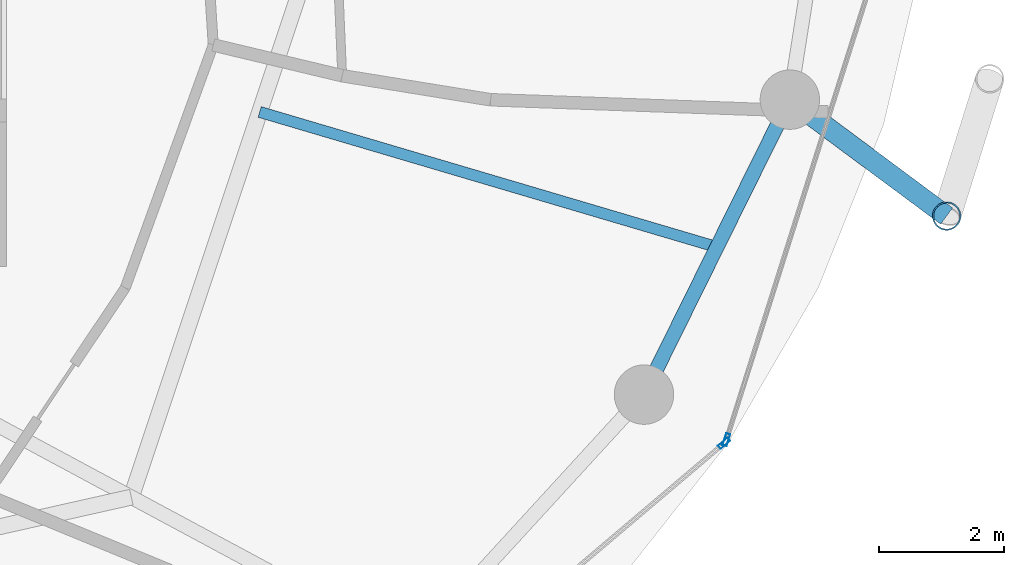
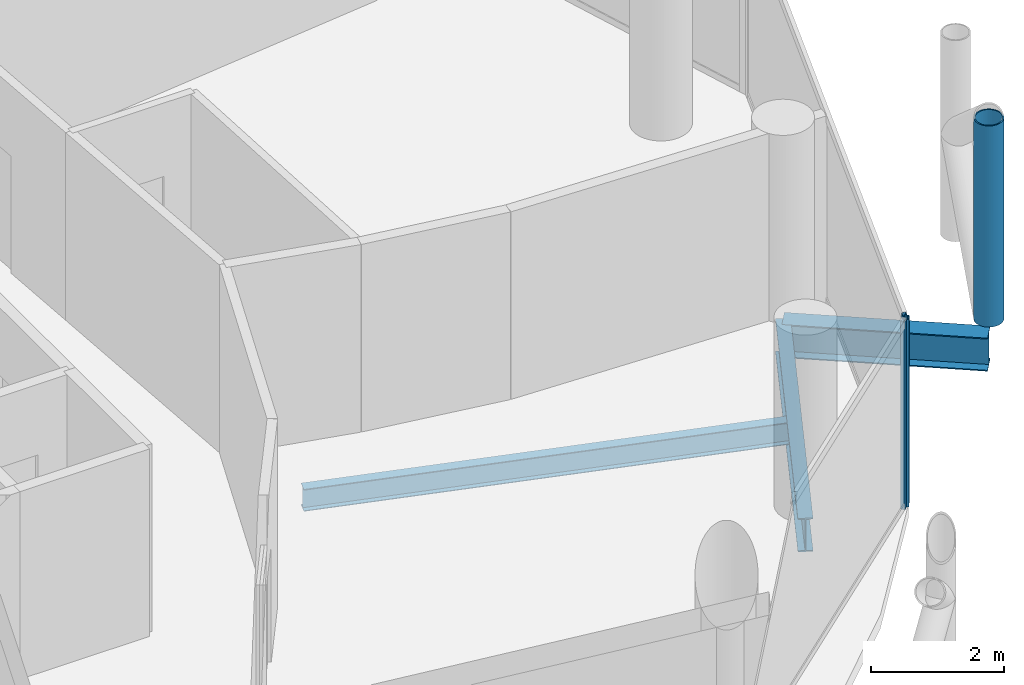
# One storey, part 10 of 26: 3 beams, 3 members, 2 elements without a shape of their own.
"""IFC4 building model written with IfcOpenShell, lengths in metres."""

import ifcopenshell
import ifcopenshell.guid

model = None  # the IFC model being written
_history = None  # IfcOwnerHistory: only IFC2X3 demands one
_inside = {}  # id of a spatial element -> (the spatial element, [elements in it])
_under = {}  # id of a project, library or spatial element -> (it, [spatial elements below it])
_declared = {}  # id of a project -> (the project, [libraries it declares])
_typed = {}  # id of a type object -> (the type object, [elements of that type])
_made_of = {}  # id of a material, layer set ... -> (it, [elements and type objects made of it])


def new_model(schema):
    """Start an empty IFC model of exactly this schema.

    Asked for "IFC4X3", IfcOpenShell would pick the latest addendum, in which some entities
    have other attributes; the version numbers below select the first issue.
    IFC2X3 requires an IfcOwnerHistory on every rooted entity: one is made here for all.
    """
    global model, _history
    if schema == "IFC4X3":
        model = ifcopenshell.file(schema_version=(4, 3, 0, 0))
    else:
        model = ifcopenshell.file(schema=schema)
    _inside.clear()
    _under.clear()
    _declared.clear()
    _typed.clear()
    _made_of.clear()
    _history = None
    if model.schema == "IFC2X3":
        org = make("IfcOrganization", Name="unknown")
        user = make(
            "IfcPersonAndOrganization",
            ThePerson=make("IfcPerson", FamilyName="unknown"),
            TheOrganization=org,
        )
        app = make(
            "IfcApplication",
            ApplicationDeveloper=org,
            Version="unknown",
            ApplicationFullName="unknown",
            ApplicationIdentifier="unknown",
        )
        _history = make(
            "IfcOwnerHistory",
            OwningUser=user,
            OwningApplication=app,
            ChangeAction="ADDED",
            CreationDate=0,
        )
    return model


def make(cls, **values):
    """One entity of the class cls with the attributes given. An attribute that is None is left unset."""
    return model.create_entity(
        cls, **{name: value for name, value in values.items() if value is not None}
    )


def rooted(cls, **values):
    """An entity with a GlobalId (a new one), such as an element, a storey or a relation."""
    return make(cls, GlobalId=ifcopenshell.guid.new(), OwnerHistory=_history, **values)


def si_unit(unit_type, name, prefix=None):
    """IfcSIUnit, for example si_unit("LENGTHUNIT", "METRE", prefix="MILLI")."""
    return make("IfcSIUnit", UnitType=unit_type, Prefix=prefix, Name=name)


def assignment(units):
    """IfcUnitAssignment: the units of a project."""
    return None if units is None else make("IfcUnitAssignment", Units=units)


def point(xyz):
    """IfcCartesianPoint."""
    return None if xyz is None else make("IfcCartesianPoint", Coordinates=xyz)


def direction(xyz):
    """IfcDirection."""
    return None if xyz is None else make("IfcDirection", DirectionRatios=xyz)


def frame(location, z_axis=None, x_axis=None):
    """IfcAxis2Placement3D, a coordinate frame: its origin and axes. An axis left out is left unset."""
    return make(
        "IfcAxis2Placement3D",
        Location=point(location),
        Axis=direction(z_axis),
        RefDirection=direction(x_axis),
    )


def frame_2d(location, x_axis=None):
    """IfcAxis2Placement2D, a coordinate frame in the plane: its origin and x axis."""
    return make(
        "IfcAxis2Placement2D", Location=point(location), RefDirection=direction(x_axis)
    )


def origin():
    """The frame at (0, 0, 0) with its axes left unset."""
    return frame((0.0, 0.0, 0.0))


def origin_2d():
    """The frame at (0, 0) in the plane with its x axis left unset."""
    return frame_2d((0.0, 0.0))


def place(relative_to, where):
    """IfcLocalPlacement: puts the frame where relative to a parent placement (None: the world)."""
    return make(
        "IfcLocalPlacement", PlacementRelTo=relative_to, RelativePlacement=where
    )


def context(
    kind, dimensions, precision=None, world=None, true_north=None, identifier=None
):
    """IfcGeometricRepresentationContext, for example the 3D "Model" context."""
    return make(
        "IfcGeometricRepresentationContext",
        ContextIdentifier=identifier,
        ContextType=kind,
        CoordinateSpaceDimension=dimensions,
        Precision=precision,
        WorldCoordinateSystem=world,
        TrueNorth=true_north,
    )


def subcontext(parent, identifier, kind, view, scale=None):
    """IfcGeometricRepresentationSubContext, for example "Body" below "Model"."""
    return make(
        "IfcGeometricRepresentationSubContext",
        ContextIdentifier=identifier,
        ContextType=kind,
        ParentContext=parent,
        TargetScale=scale,
        TargetView=view,
    )


def project(units=None, contexts=None):
    """IfcProject with its units and contexts."""
    return rooted(
        "IfcProject",
        Name="project",
        RepresentationContexts=contexts,
        UnitsInContext=assignment(units),
    )


def spatial(cls, under=None, at=None, **own):
    """A site, building, storey or space (cls), placed at a placement, below another one or the project."""
    s = rooted(cls, ObjectPlacement=at, **own)
    if under is not None:
        _under.setdefault(under.id(), (under, []))[1].append(s)
    return s


def profile(cls, at=None, kind="AREA", **sizes):
    """A parametric profile (cls). Its sizes go by their IFC names, for example OverallWidth=200.0."""
    return make(cls, ProfileType=kind, Position=at, **sizes)


def hollow_rectangle(**sizes):
    """IfcRectangleHollowProfileDef."""
    return profile("IfcRectangleHollowProfileDef", **sizes)


def hollow_circle(**sizes):
    """IfcCircleHollowProfileDef."""
    return profile("IfcCircleHollowProfileDef", **sizes)


def i_section(**sizes):
    """IfcIShapeProfileDef."""
    return profile("IfcIShapeProfileDef", **sizes)


def extrude(swept, where, along, depth):
    """IfcExtrudedAreaSolid: the profile swept, set in the frame where, extruded along a direction by depth."""
    return make(
        "IfcExtrudedAreaSolid",
        SweptArea=swept,
        Position=where,
        ExtrudedDirection=direction(along),
        Depth=depth,
    )


def shape(context_of_items, identifier, shape_type, items):
    """IfcShapeRepresentation: the items that make up one representation, for example the "Body"."""
    return make(
        "IfcShapeRepresentation",
        ContextOfItems=context_of_items,
        RepresentationIdentifier=identifier,
        RepresentationType=shape_type,
        Items=items,
    )


def material(Name=None, Category=None):
    """IfcMaterial."""
    return make("IfcMaterial", Name=Name, Category=Category)


def layer(
    of_material, thickness, ventilated=None, Name=None, Category=None, Priority=None
):
    """IfcMaterialLayer: one layer of a wall or slab, of a material (None: an air gap)."""
    return make(
        "IfcMaterialLayer",
        Material=of_material,
        LayerThickness=thickness,
        IsVentilated=ventilated,
        Name=Name,
        Category=Category,
        Priority=Priority,
    )


def layer_set(layers, Name=None):
    """IfcMaterialLayerSet."""
    return make("IfcMaterialLayerSet", MaterialLayers=layers, LayerSetName=Name)


def material_profile(
    of_material, cross_section, Name=None, Category=None, Priority=None
):
    """IfcMaterialProfile: a cross section and its material."""
    return make(
        "IfcMaterialProfile",
        Name=Name,
        Material=of_material,
        Profile=cross_section,
        Priority=Priority,
        Category=Category,
    )


def profile_set(profiles, Name=None, composite=None):
    """IfcMaterialProfileSet."""
    return make(
        "IfcMaterialProfileSet",
        Name=Name,
        MaterialProfiles=profiles,
        CompositeProfile=composite,
    )


def made_of(thing, what):
    """Note that an element or type object is made of a material, layer set ...; save() writes the relation."""
    if what is not None:
        _made_of.setdefault(what.id(), (what, []))[1].append(thing)
    return thing


def type_object(cls, material=None, **own):
    """A type object (cls), such as IfcWallType, which elements share."""
    return made_of(rooted(cls, **own), material)


def element(
    cls,
    number,
    at=None,
    inside=None,
    cuts=None,
    type_object=None,
    material=None,
    context=None,
    identifier="Body",
    shape_type=None,
    held_by="IfcProductDefinitionShape",
    body=None,
    shapes=None,
    **own,
):
    """One element of the class cls, such as IfcWall. Its Tag is "e" and its number.

    at: its placement. inside: the storey or other place that contains it. cuts: it is an
    opening in that element (IfcRelVoidsElement). A single representation is given by context,
    identifier, shape_type and body (its items); several are given by shapes. held_by: the class
    of the entity that holds the representations. save() writes the other relations.
    """
    e = rooted(cls, Tag="e%d" % number, ObjectPlacement=at, **own)
    if body is not None:
        shapes = [shape(context, identifier, shape_type, body)]
    if shapes is not None:
        e.Representation = make(held_by, Representations=shapes)
    if inside is not None:
        _inside.setdefault(inside.id(), (inside, []))[1].append(e)
    if cuts is not None:
        rooted(
            "IfcRelVoidsElement", RelatingBuildingElement=cuts, RelatedOpeningElement=e
        )
    if type_object is not None:
        _typed.setdefault(type_object.id(), (type_object, []))[1].append(e)
    return made_of(e, material)


def aggregate(whole, parts):
    """IfcRelAggregates: a whole, such as a stair, and the parts it consists of."""
    return rooted("IfcRelAggregates", RelatingObject=whole, RelatedObjects=parts)


def save(model, path):
    """Write the relations noted so far, then the file.

    IfcRelAggregates (storeys below a building ...), IfcRelContainedInSpatialStructure (elements
    in a storey), IfcRelDefinesByType, IfcRelAssociatesMaterial and IfcRelDeclares: one each for
    every whole, place, type object, material and project.
    """
    for whole, parts in _under.values():
        aggregate(whole, parts)
    for where, things in _inside.values():
        rooted(
            "IfcRelContainedInSpatialStructure",
            RelatedElements=things,
            RelatingStructure=where,
        )
    for kind, things in _typed.values():
        rooted("IfcRelDefinesByType", RelatedObjects=things, RelatingType=kind)
    for what, things in _made_of.values():
        rooted("IfcRelAssociatesMaterial", RelatedObjects=things, RelatingMaterial=what)
    for by, libraries in _declared.values():
        rooted("IfcRelDeclares", RelatingContext=by, RelatedDefinitions=libraries)
    model.write(path)


model = new_model("IFC4")

# Units and contexts
model_context = context("Model", 3, precision=1e-05, world=origin(), true_north=direction((0.0, 1.0)))
body_context = subcontext(model_context, "Body", "Model", "MODEL_VIEW")
ifc_project = project(units=[si_unit("LENGTHUNIT", "METRE"), si_unit("AREAUNIT", "SQUARE_METRE"), si_unit("VOLUMEUNIT", "CUBIC_METRE"), si_unit("PLANEANGLEUNIT", "RADIAN"), si_unit("MASSUNIT", "GRAM", prefix="KILO")], contexts=[model_context])

# Site, building, storey
site_placement = place(None, origin())
site = spatial("IfcSite", under=ifc_project, at=site_placement, CompositionType="ELEMENT")
building_placement = place(site_placement, origin())
building = spatial("IfcBuilding", under=site, at=building_placement, Name="Nuhasar Tower", CompositionType="ELEMENT")
storey_placement = place(building_placement, frame((0.0, 0.0, 125.64990234375)))
storey = spatial("IfcBuildingStorey", under=building, at=storey_placement, Name="L29", CompositionType="ELEMENT", Elevation=125.64990234375)

# Beams
ifc_material_1 = material(Name="Steel S355", Category="steel")
ifc_material_profile_1 = material_profile(ifc_material_1, i_section(OverallWidth=0.177978515625, OverallDepth=0.406005859375, WebThickness=0.0078125, FlangeThickness=0.0126953125, at=origin_2d()), Name="W16X40")
ifc_profile_set_1 = profile_set([ifc_material_profile_1], Name="Steel S355")
beam_type_1 = type_object("IfcBeamType", Name="BM-JST-W16X40", PredefinedType="JOIST", material=ifc_profile_set_1)
beam_1_placement = place(storey_placement, frame((53.0791015625, 21.54296875, -0.452880859375), z_axis=(0.959000494697, -0.283404395116, 0.0), x_axis=(0.283404395116, 0.959000494697, 0.0)))
element("IfcBeam", 1, at=beam_1_placement, inside=storey, type_object=beam_type_1, Name="L29 Secondary Floor Joist 03", PredefinedType="JOIST", context=body_context, shape_type="SweptSolid", body=[
    extrude(i_section(OverallWidth=0.177978515625, OverallDepth=0.406005859375, WebThickness=0.0078125, FlangeThickness=0.0126953125, at=origin_2d()), origin(), (0.0, 0.0, 1.0), 7.621337890625),
])
ifc_material_profile_2 = material_profile(ifc_material_1, i_section(OverallWidth=0.22998046875, OverallDepth=0.616943359375, WebThickness=0.01318359375, FlangeThickness=0.022216796875, at=origin_2d()), Name="W24X94")
ifc_profile_set_2 = profile_set([ifc_material_profile_2], Name="Steel S355")
beam_type_2 = type_object("IfcBeamType", Name="BM-RING-W24X94", PredefinedType="SPANDREL", material=ifc_profile_set_2)
beam_2_placement = place(storey_placement, frame((59.221923828125, 17.02490234375, -0.557861328125), z_axis=(0.443329327657, 0.896358804966, 0.0), x_axis=(-0.896358804966, 0.443329327657, 0.0)))
element("IfcBeam", 2, at=beam_2_placement, inside=storey, type_object=beam_type_2, Name="L29 Perimeter Ring Spandrel 23", PredefinedType="SPANDREL", context=body_context, shape_type="SweptSolid", body=[
    extrude(i_section(OverallWidth=0.22998046875, OverallDepth=0.616943359375, WebThickness=0.01318359375, FlangeThickness=0.022216796875, at=origin_2d()), origin(), (0.0, 0.0, 1.0), 5.26025390625),
])
ifc_material_profile_3 = material_profile(ifc_material_1, i_section(OverallWidth=0.323974609375, OverallDepth=0.611083984375, WebThickness=0.0126953125, FlangeThickness=0.01904296875, at=origin_2d()), Name="W24X104")
ifc_profile_set_3 = profile_set([ifc_material_profile_3], Name="Steel S355")
beam_type_3 = type_object("IfcBeamType", Name="BM-TIE-W24X104", PredefinedType="BEAM", material=ifc_profile_set_3)
beam_3_placement = place(storey_placement, frame((61.553955078125, 21.739990234375, -0.554931640625), z_axis=(0.80283476238, -0.596201597041, 0.0), x_axis=(0.596201597041, 0.80283476238, 0.0)))
element("IfcBeam", 3, at=beam_3_placement, inside=storey, type_object=beam_type_3, Name="L29 Exoskeleton Node Tie Beam 12", PredefinedType="BEAM", context=body_context, shape_type="SweptSolid", body=[
    extrude(i_section(OverallWidth=0.323974609375, OverallDepth=0.611083984375, WebThickness=0.0126953125, FlangeThickness=0.01904296875, at=origin_2d()), origin(), (0.0, 0.0, 1.0), 3.12158203125),
])

# Curtain wall, member
ifc_material_2 = material(Name="Aluminium 6063-T6", Category="aluminium")
ifc_layer = layer(ifc_material_2, 0.199951171875)
ifc_layer_set = layer_set([ifc_layer], Name="Aluminium 6063-T6")
curtain_wall_type = type_object("IfcCurtainWallType", Name="CW-Z2-HTL", PredefinedType="NOTDEFINED", material=ifc_layer_set)
curtain_wall_1_placement = place(storey_placement, origin())
curtain_wall_1 = element("IfcCurtainWall", 4, at=curtain_wall_1_placement, inside=storey, type_object=curtain_wall_type, Name="L29 Unitised Curtain Wall 11", PredefinedType="NOTDEFINED")
ifc_material_profile_4 = material_profile(ifc_material_2, hollow_rectangle(XDim=0.070068359375, YDim=0.199951171875, WallThickness=0.0048828125, at=origin_2d()), Name="CWM-3")
ifc_profile_set_4 = profile_set([ifc_material_profile_4], Name="Aluminium 6063-T6")
member_type_1 = type_object("IfcMemberType", Name="CW-MUL-S3", PredefinedType="MULLION", material=ifc_profile_set_4)
member_1_placement = place(storey_placement, frame((60.502197265625, 16.247314453125, 0.0), z_axis=(0.0, 0.0, 1.0), x_axis=(-0.646374438324, 0.763020370292, 0.0)))
member_1 = element("IfcMember", 5, at=member_1_placement, type_object=member_type_1, Name="CW-Z2 mullion 2", PredefinedType="MULLION", context=body_context, shape_type="SweptSolid", body=[
    extrude(hollow_rectangle(XDim=0.070068359375, YDim=0.199951171875, WallThickness=0.0048828125, at=origin_2d()), origin(), (0.0, 0.0, 1.0), 3.4501953125),
])
aggregate(curtain_wall_1, [member_1])

curtain_wall_2_placement = place(storey_placement, origin())
curtain_wall_2 = element("IfcCurtainWall", 6, at=curtain_wall_2_placement, inside=storey, type_object=curtain_wall_type, Name="L29 Unitised Curtain Wall 12", PredefinedType="NOTDEFINED")
member_2_placement = place(storey_placement, frame((60.53955078125, 16.303466796875, 0.0), z_axis=(0.0, 0.0, 1.0), x_axis=(-0.953433389233, 0.301603667577, 0.0)))
member_2 = element("IfcMember", 7, at=member_2_placement, type_object=member_type_1, Name="CW-Z2 mullion 1", PredefinedType="MULLION", context=body_context, shape_type="SweptSolid", body=[
    extrude(hollow_rectangle(XDim=0.070068359375, YDim=0.199951171875, WallThickness=0.0048828125, at=origin_2d()), origin(), (0.0, 0.0, 1.0), 3.4501953125),
])
aggregate(curtain_wall_2, [member_2])

# Member
ifc_material_3 = material(Name="Steel S460", Category="steel")
ifc_material_profile_5 = material_profile(ifc_material_3, hollow_circle(Radius=0.228515625, WallThickness=0.022216796875, at=origin_2d()), Name="HSS457X22.2")
ifc_profile_set_5 = profile_set([ifc_material_profile_5], Name="Steel S460")
member_type_2 = type_object("IfcMemberType", Name="EXO-BRONZE-457", PredefinedType="BRACE", material=ifc_profile_set_5)
member_3_placement = place(storey_placement, frame((64.06005859375, 19.87890625, 0.0), z_axis=(0.0, 0.0, 1.0), x_axis=(1.0, 0.0, 0.0)))
element("IfcMember", 8, at=member_3_placement, inside=storey, type_object=member_type_2, Name="L29 Exoskeleton Chord Column EC-12A", PredefinedType="BRACE", context=body_context, shape_type="SweptSolid", body=[
    extrude(hollow_circle(Radius=0.228515625, WallThickness=0.022216796875, at=origin_2d()), origin(), (0.0, 0.0, 1.0), 3.7001953125),
])

save(model, "model.ifc")
